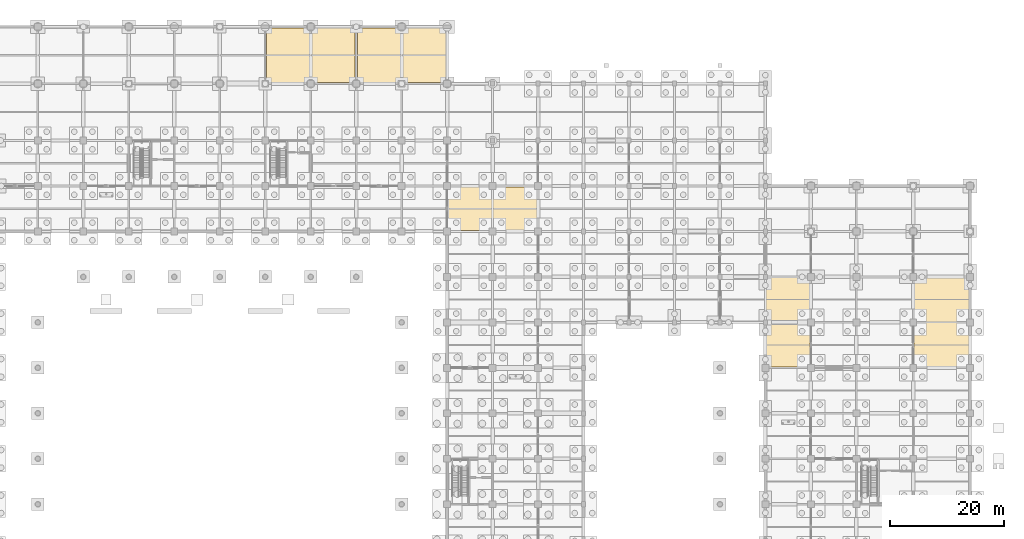
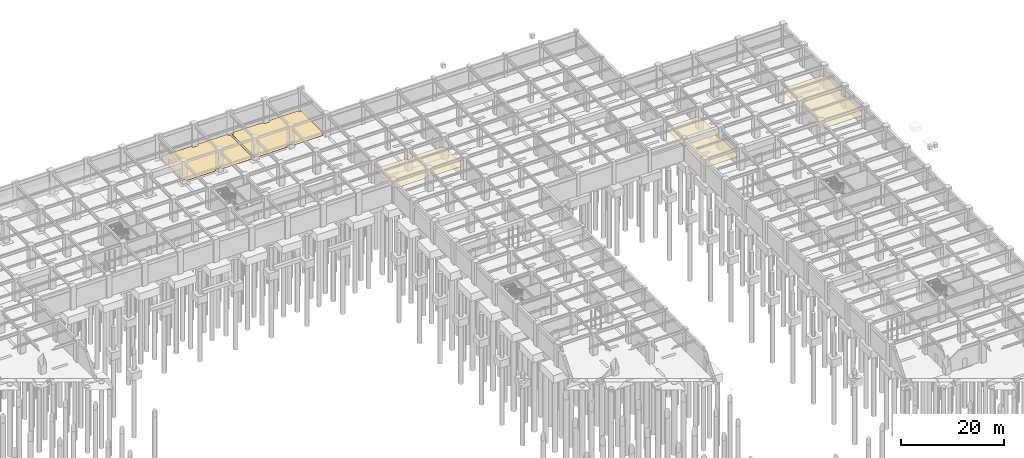
# One storey, part 97 of 97: 5 coverings.
"""IFC4 building model written with IfcOpenShell, lengths in metres."""

from ifc_helpers import new_model, si_unit, direction, frame, origin, place, context, subcontext, project, spatial, polyline, outline, extrude, material, layer, layer_set, type_object, element, save


model = new_model("IFC4")

# Units and contexts
model_context = context("Model", 3, precision=1e-05, world=origin(), true_north=direction((0.0, 1.0)))
body_context = subcontext(model_context, "Body", "Model", "MODEL_VIEW")
ifc_project = project(units=[si_unit("LENGTHUNIT", "METRE"), si_unit("AREAUNIT", "SQUARE_METRE"), si_unit("VOLUMEUNIT", "CUBIC_METRE"), si_unit("PLANEANGLEUNIT", "RADIAN"), si_unit("MASSUNIT", "GRAM", prefix="KILO")], contexts=[model_context])

# Site, building, storey
site_placement = place(None, origin())
site = spatial("IfcSite", under=ifc_project, at=site_placement, CompositionType="ELEMENT")
building_placement = place(site_placement, origin())
building = spatial("IfcBuilding", under=site, at=building_placement, Name="Haebicheon Civic Stadium", CompositionType="ELEMENT")
storey_placement = place(building_placement, frame((0.0, 0.0, -5.39990234375)))
storey = spatial("IfcBuildingStorey", under=building, at=storey_placement, Name="B1", CompositionType="ELEMENT", Elevation=-5.39990234375)

# Coverings
ifc_material_1 = material(Name="Perforated mineral-fibre acoustic board", Category="gypsum")
ifc_layer_1 = layer(ifc_material_1, 0.0400390625, Name="Perforated mineral-fibre acoustic board")
ifc_layer_set_1 = layer_set([ifc_layer_1], Name="Perforated mineral-fibre acoustic board")
covering_type_1 = type_object("IfcCoveringType", Name="COV-CLG-AC", PredefinedType="CEILING", material=ifc_layer_set_1)
covering_1_placement = place(storey_placement, frame((0.0, 0.0, 2.809814453125)))
element("IfcCovering", 1, at=covering_1_placement, inside=storey, type_object=covering_type_1, material=ifc_layer_set_1, Name="B1 Youth Coaching Briefing Room acoustic ceiling", PredefinedType="CEILING", context=body_context, shape_type="SweptSolid", body=[
    extrude(outline(polyline([(200.594970703125, 128.14501953125), (200.594970703125, 128.594970703125), (200.14501953125, 128.594970703125), (200.14501953125, 135.405029296875), (200.594970703125, 135.405029296875), (200.594970703125, 136.594970703125), (200.14501953125, 136.594970703125), (200.14501953125, 143.405029296875), (200.594970703125, 143.405029296875), (200.594970703125, 143.85498046875), (207.405029296875, 143.85498046875), (207.405029296875, 143.405029296875), (207.85498046875, 143.405029296875), (207.85498046875, 136.594970703125), (207.405029296875, 136.594970703125), (207.405029296875, 135.405029296875), (207.85498046875, 135.405029296875), (207.85498046875, 128.594970703125), (207.405029296875, 128.594970703125), (207.405029296875, 128.14501953125), (200.594970703125, 128.14501953125)])), origin(), (0.0, 0.0, 1.0), 0.0400390625),
])
covering_2_placement = place(storey_placement, frame((0.0, 0.0, 2.809814453125)))
element("IfcCovering", 2, at=covering_2_placement, inside=storey, type_object=covering_type_1, material=ifc_layer_set_1, Name="B1 Community Team Changing Room acoustic ceiling", PredefinedType="CEILING", context=body_context, shape_type="SweptSolid", body=[
    extrude(outline(polyline([(226.594970703125, 128.14501953125), (226.594970703125, 128.594970703125), (226.14501953125, 128.594970703125), (226.14501953125, 135.405029296875), (226.594970703125, 135.405029296875), (226.594970703125, 136.594970703125), (226.14501953125, 136.594970703125), (226.14501953125, 143.405029296875), (226.594970703125, 143.405029296875), (226.594970703125, 143.85498046875), (235.405029296875, 143.85498046875), (235.405029296875, 143.405029296875), (235.85498046875, 143.405029296875), (235.85498046875, 136.594970703125), (235.405029296875, 136.594970703125), (235.405029296875, 135.405029296875), (235.85498046875, 135.405029296875), (235.85498046875, 128.594970703125), (235.405029296875, 128.594970703125), (235.405029296875, 128.14501953125), (226.594970703125, 128.14501953125)])), origin(), (0.0, 0.0, 1.0), 0.0400390625),
])
covering_3_placement = place(storey_placement, frame((0.0, 0.0, 2.809814453125)))
element("IfcCovering", 3, at=covering_3_placement, inside=storey, type_object=covering_type_1, material=ifc_layer_set_1, Name="B1 Broadcast Fibre Patch Room acoustic ceiling", PredefinedType="CEILING", context=body_context, shape_type="SweptSolid", body=[
    extrude(outline(polyline([(144.14501953125, 159.405029296875), (144.594970703125, 159.405029296875), (144.594970703125, 159.85498046875), (151.405029296875, 159.85498046875), (151.405029296875, 159.405029296875), (152.594970703125, 159.405029296875), (152.594970703125, 159.85498046875), (159.405029296875, 159.85498046875), (159.405029296875, 159.405029296875), (159.85498046875, 159.405029296875), (159.85498046875, 152.594970703125), (159.405029296875, 152.594970703125), (159.405029296875, 152.14501953125), (152.594970703125, 152.14501953125), (152.594970703125, 152.594970703125), (151.405029296875, 152.594970703125), (151.405029296875, 152.14501953125), (144.594970703125, 152.14501953125), (144.594970703125, 152.594970703125), (144.14501953125, 152.594970703125), (144.14501953125, 159.405029296875)])), origin(), (0.0, 0.0, 1.0), 0.0400390625),
])
ifc_material_2 = material(Name="Quartz epoxy resin mortar", Category="concrete")
ifc_layer_2 = layer(ifc_material_2, 0.030029296875, Name="Quartz epoxy resin mortar")
ifc_layer_set_2 = layer_set([ifc_layer_2], Name="Quartz epoxy resin mortar")
covering_type_2 = type_object("IfcCoveringType", Name="COV-FLR-EPX", PredefinedType="FLOORING", material=ifc_layer_set_2)
covering_4_placement = place(storey_placement, origin())
element("IfcCovering", 4, at=covering_4_placement, inside=storey, type_object=covering_type_2, material=ifc_layer_set_2, Name="B1 Electrical Substation Plant non-slip floor finish", PredefinedType="FLOORING", context=body_context, shape_type="SweptSolid", body=[
    extrude(outline(polyline([(112.199951171875, 187.35009765625), (112.64990234375, 187.35009765625), (112.64990234375, 187.800048828125), (119.35009765625, 187.800048828125), (119.35009765625, 187.35009765625), (120.64990234375, 187.35009765625), (120.64990234375, 187.800048828125), (127.35009765625, 187.800048828125), (127.35009765625, 187.35009765625), (127.800048828125, 187.35009765625), (127.800048828125, 178.64990234375), (127.35009765625, 178.64990234375), (127.35009765625, 178.199951171875), (120.64990234375, 178.199951171875), (120.64990234375, 178.64990234375), (119.35009765625, 178.64990234375), (119.35009765625, 178.199951171875), (112.64990234375, 178.199951171875), (112.64990234375, 178.64990234375), (112.199951171875, 178.64990234375), (112.199951171875, 187.35009765625)])), origin(), (0.0, 0.0, 1.0), 0.02978515625),
])
covering_5_placement = place(storey_placement, origin())
element("IfcCovering", 5, at=covering_5_placement, inside=storey, type_object=covering_type_2, material=ifc_layer_set_2, Name="B1 Concourse Beverage Cold Store non-slip floor finish", PredefinedType="FLOORING", context=body_context, shape_type="SweptSolid", body=[
    extrude(outline(polyline([(128.199951171875, 187.35009765625), (128.64990234375, 187.35009765625), (128.64990234375, 187.800048828125), (135.35009765625, 187.800048828125), (135.35009765625, 187.35009765625), (136.64990234375, 187.35009765625), (136.64990234375, 187.800048828125), (143.35009765625, 187.800048828125), (143.35009765625, 187.35009765625), (143.800048828125, 187.35009765625), (143.800048828125, 178.64990234375), (143.35009765625, 178.64990234375), (143.35009765625, 178.199951171875), (136.64990234375, 178.199951171875), (136.64990234375, 178.64990234375), (135.35009765625, 178.64990234375), (135.35009765625, 178.199951171875), (128.64990234375, 178.199951171875), (128.64990234375, 178.64990234375), (128.199951171875, 178.64990234375), (128.199951171875, 187.35009765625)])), origin(), (0.0, 0.0, 1.0), 0.02978515625),
])

save(model, "model.ifc")
